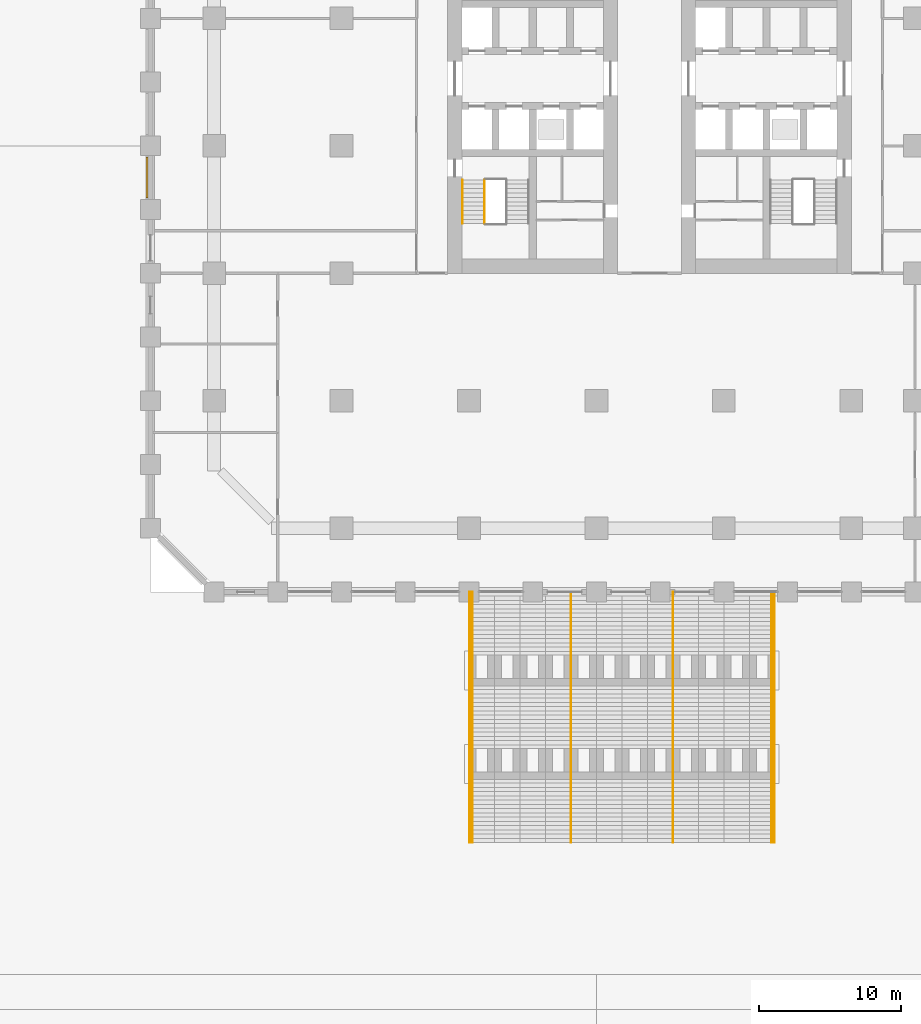
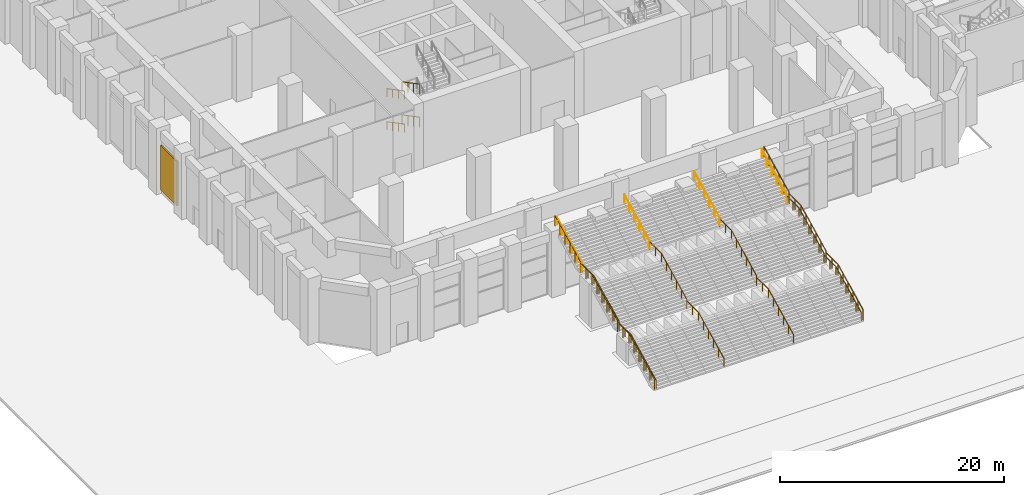
# One storey, part 22 of 30: 22 railings, 1 shading device.
"""IFC4 building model written with IfcOpenShell, lengths in metres."""

import ifcopenshell
import ifcopenshell.guid

model = None  # the IFC model being written
_history = None  # IfcOwnerHistory: only IFC2X3 demands one
_inside = {}  # id of a spatial element -> (the spatial element, [elements in it])
_under = {}  # id of a project, library or spatial element -> (it, [spatial elements below it])
_declared = {}  # id of a project -> (the project, [libraries it declares])
_typed = {}  # id of a type object -> (the type object, [elements of that type])
_made_of = {}  # id of a material, layer set ... -> (it, [elements and type objects made of it])


def new_model(schema):
    """Start an empty IFC model of exactly this schema.

    Asked for "IFC4X3", IfcOpenShell would pick the latest addendum, in which some entities
    have other attributes; the version numbers below select the first issue.
    IFC2X3 requires an IfcOwnerHistory on every rooted entity: one is made here for all.
    """
    global model, _history
    if schema == "IFC4X3":
        model = ifcopenshell.file(schema_version=(4, 3, 0, 0))
    else:
        model = ifcopenshell.file(schema=schema)
    _inside.clear()
    _under.clear()
    _declared.clear()
    _typed.clear()
    _made_of.clear()
    _history = None
    if model.schema == "IFC2X3":
        org = make("IfcOrganization", Name="unknown")
        user = make(
            "IfcPersonAndOrganization",
            ThePerson=make("IfcPerson", FamilyName="unknown"),
            TheOrganization=org,
        )
        app = make(
            "IfcApplication",
            ApplicationDeveloper=org,
            Version="unknown",
            ApplicationFullName="unknown",
            ApplicationIdentifier="unknown",
        )
        _history = make(
            "IfcOwnerHistory",
            OwningUser=user,
            OwningApplication=app,
            ChangeAction="ADDED",
            CreationDate=0,
        )
    return model


def make(cls, **values):
    """One entity of the class cls with the attributes given. An attribute that is None is left unset."""
    return model.create_entity(
        cls, **{name: value for name, value in values.items() if value is not None}
    )


def rooted(cls, **values):
    """An entity with a GlobalId (a new one), such as an element, a storey or a relation."""
    return make(cls, GlobalId=ifcopenshell.guid.new(), OwnerHistory=_history, **values)


def si_unit(unit_type, name, prefix=None):
    """IfcSIUnit, for example si_unit("LENGTHUNIT", "METRE", prefix="MILLI")."""
    return make("IfcSIUnit", UnitType=unit_type, Prefix=prefix, Name=name)


def assignment(units):
    """IfcUnitAssignment: the units of a project."""
    return None if units is None else make("IfcUnitAssignment", Units=units)


def point(xyz):
    """IfcCartesianPoint."""
    return None if xyz is None else make("IfcCartesianPoint", Coordinates=xyz)


def direction(xyz):
    """IfcDirection."""
    return None if xyz is None else make("IfcDirection", DirectionRatios=xyz)


def frame(location, z_axis=None, x_axis=None):
    """IfcAxis2Placement3D, a coordinate frame: its origin and axes. An axis left out is left unset."""
    return make(
        "IfcAxis2Placement3D",
        Location=point(location),
        Axis=direction(z_axis),
        RefDirection=direction(x_axis),
    )


def frame_2d(location, x_axis=None):
    """IfcAxis2Placement2D, a coordinate frame in the plane: its origin and x axis."""
    return make(
        "IfcAxis2Placement2D", Location=point(location), RefDirection=direction(x_axis)
    )


def origin():
    """The frame at (0, 0, 0) with its axes left unset."""
    return frame((0.0, 0.0, 0.0))


def origin_2d():
    """The frame at (0, 0) in the plane with its x axis left unset."""
    return frame_2d((0.0, 0.0))


def place(relative_to, where):
    """IfcLocalPlacement: puts the frame where relative to a parent placement (None: the world)."""
    return make(
        "IfcLocalPlacement", PlacementRelTo=relative_to, RelativePlacement=where
    )


def context(
    kind, dimensions, precision=None, world=None, true_north=None, identifier=None
):
    """IfcGeometricRepresentationContext, for example the 3D "Model" context."""
    return make(
        "IfcGeometricRepresentationContext",
        ContextIdentifier=identifier,
        ContextType=kind,
        CoordinateSpaceDimension=dimensions,
        Precision=precision,
        WorldCoordinateSystem=world,
        TrueNorth=true_north,
    )


def subcontext(parent, identifier, kind, view, scale=None):
    """IfcGeometricRepresentationSubContext, for example "Body" below "Model"."""
    return make(
        "IfcGeometricRepresentationSubContext",
        ContextIdentifier=identifier,
        ContextType=kind,
        ParentContext=parent,
        TargetScale=scale,
        TargetView=view,
    )


def project(units=None, contexts=None):
    """IfcProject with its units and contexts."""
    return rooted(
        "IfcProject",
        Name="project",
        RepresentationContexts=contexts,
        UnitsInContext=assignment(units),
    )


def spatial(cls, under=None, at=None, **own):
    """A site, building, storey or space (cls), placed at a placement, below another one or the project."""
    s = rooted(cls, ObjectPlacement=at, **own)
    if under is not None:
        _under.setdefault(under.id(), (under, []))[1].append(s)
    return s


def profile(cls, at=None, kind="AREA", **sizes):
    """A parametric profile (cls). Its sizes go by their IFC names, for example OverallWidth=200.0."""
    return make(cls, ProfileType=kind, Position=at, **sizes)


def rectangle(**sizes):
    """IfcRectangleProfileDef."""
    return profile("IfcRectangleProfileDef", **sizes)


def circle(**sizes):
    """IfcCircleProfileDef."""
    return profile("IfcCircleProfileDef", **sizes)


def extrude(swept, where, along, depth):
    """IfcExtrudedAreaSolid: the profile swept, set in the frame where, extruded along a direction by depth."""
    return make(
        "IfcExtrudedAreaSolid",
        SweptArea=swept,
        Position=where,
        ExtrudedDirection=direction(along),
        Depth=depth,
    )


def shape(context_of_items, identifier, shape_type, items):
    """IfcShapeRepresentation: the items that make up one representation, for example the "Body"."""
    return make(
        "IfcShapeRepresentation",
        ContextOfItems=context_of_items,
        RepresentationIdentifier=identifier,
        RepresentationType=shape_type,
        Items=items,
    )


def material(Name=None, Category=None):
    """IfcMaterial."""
    return make("IfcMaterial", Name=Name, Category=Category)


def layer(
    of_material, thickness, ventilated=None, Name=None, Category=None, Priority=None
):
    """IfcMaterialLayer: one layer of a wall or slab, of a material (None: an air gap)."""
    return make(
        "IfcMaterialLayer",
        Material=of_material,
        LayerThickness=thickness,
        IsVentilated=ventilated,
        Name=Name,
        Category=Category,
        Priority=Priority,
    )


def layer_set(layers, Name=None):
    """IfcMaterialLayerSet."""
    return make("IfcMaterialLayerSet", MaterialLayers=layers, LayerSetName=Name)


def made_of(thing, what):
    """Note that an element or type object is made of a material, layer set ...; save() writes the relation."""
    if what is not None:
        _made_of.setdefault(what.id(), (what, []))[1].append(thing)
    return thing


def type_object(cls, material=None, **own):
    """A type object (cls), such as IfcWallType, which elements share."""
    return made_of(rooted(cls, **own), material)


def element(
    cls,
    number,
    at=None,
    inside=None,
    cuts=None,
    type_object=None,
    material=None,
    context=None,
    identifier="Body",
    shape_type=None,
    held_by="IfcProductDefinitionShape",
    body=None,
    shapes=None,
    **own,
):
    """One element of the class cls, such as IfcWall. Its Tag is "e" and its number.

    at: its placement. inside: the storey or other place that contains it. cuts: it is an
    opening in that element (IfcRelVoidsElement). A single representation is given by context,
    identifier, shape_type and body (its items); several are given by shapes. held_by: the class
    of the entity that holds the representations. save() writes the other relations.
    """
    e = rooted(cls, Tag="e%d" % number, ObjectPlacement=at, **own)
    if body is not None:
        shapes = [shape(context, identifier, shape_type, body)]
    if shapes is not None:
        e.Representation = make(held_by, Representations=shapes)
    if inside is not None:
        _inside.setdefault(inside.id(), (inside, []))[1].append(e)
    if cuts is not None:
        rooted(
            "IfcRelVoidsElement", RelatingBuildingElement=cuts, RelatedOpeningElement=e
        )
    if type_object is not None:
        _typed.setdefault(type_object.id(), (type_object, []))[1].append(e)
    return made_of(e, material)


def aggregate(whole, parts):
    """IfcRelAggregates: a whole, such as a stair, and the parts it consists of."""
    return rooted("IfcRelAggregates", RelatingObject=whole, RelatedObjects=parts)


def save(model, path):
    """Write the relations noted so far, then the file.

    IfcRelAggregates (storeys below a building ...), IfcRelContainedInSpatialStructure (elements
    in a storey), IfcRelDefinesByType, IfcRelAssociatesMaterial and IfcRelDeclares: one each for
    every whole, place, type object, material and project.
    """
    for whole, parts in _under.values():
        aggregate(whole, parts)
    for where, things in _inside.values():
        rooted(
            "IfcRelContainedInSpatialStructure",
            RelatedElements=things,
            RelatingStructure=where,
        )
    for kind, things in _typed.values():
        rooted("IfcRelDefinesByType", RelatedObjects=things, RelatingType=kind)
    for what, things in _made_of.values():
        rooted("IfcRelAssociatesMaterial", RelatedObjects=things, RelatingMaterial=what)
    for by, libraries in _declared.values():
        rooted("IfcRelDeclares", RelatingContext=by, RelatedDefinitions=libraries)
    model.write(path)


model = new_model("IFC4")

# Units and contexts
model_context = context("Model", 3, precision=1e-05, world=origin(), true_north=direction((0.0, 1.0)))
body_context = subcontext(model_context, "Body", "Model", "MODEL_VIEW")
ifc_project = project(units=[si_unit("LENGTHUNIT", "METRE"), si_unit("AREAUNIT", "SQUARE_METRE"), si_unit("VOLUMEUNIT", "CUBIC_METRE"), si_unit("PLANEANGLEUNIT", "RADIAN"), si_unit("MASSUNIT", "GRAM", prefix="KILO")], contexts=[model_context])

# Site, building, storey
site_placement = place(None, origin())
site = spatial("IfcSite", under=ifc_project, at=site_placement, CompositionType="ELEMENT")
building_placement = place(site_placement, origin())
building = spatial("IfcBuilding", under=site, at=building_placement, Name="Corbel Stack Research Tower", CompositionType="ELEMENT")
storey_placement = place(building_placement, origin())
storey = spatial("IfcBuildingStorey", under=building, at=storey_placement, Name="L00", CompositionType="ELEMENT", Elevation=0.0)

# Shading device
ifc_material_1 = material(Name="Aluminium louvre", Category="aluminium")
ifc_layer = layer(ifc_material_1, 0.14990234375)
ifc_layer_set = layer_set([ifc_layer], Name="Aluminium louvre")
shading_device_type = type_object("IfcShadingDeviceType", Name="Plant louvre 150", PredefinedType="USERDEFINED", material=ifc_layer_set)
shading_device_placement = place(storey_placement, frame((-31.75, -2.25, 0.5), z_axis=(0.0, 0.0, 1.0), x_axis=(0.0, -1.0, 0.0)))
element("IfcShadingDevice", 1, at=shading_device_placement, inside=storey, type_object=shading_device_type, Name="Plant louvre L00 W08", ObjectType="LOUVRE", PredefinedType="USERDEFINED", context=body_context, shape_type="SweptSolid", body=[
    extrude(rectangle(XDim=2.89990234375, YDim=0.14990234375, at=origin_2d()), origin(), (0.0, 0.0, 1.0), 4.85009765625),
])

# Railings
ifc_material_2 = material(Name="Steel S235", Category="steel")
railing_type_1 = type_object("IfcRailingType", Name="SR1 guard 1100", PredefinedType="GUARDRAIL", material=ifc_material_2)
railing_1_placement = place(storey_placement, frame((-8.949951171875, -49.199951171875, 0.14990234375)))
element("IfcRailing", 2, at=railing_1_placement, inside=storey, type_object=railing_type_1, Name="Garden stair guard 1.1", PredefinedType="GUARDRAIL", context=body_context, shape_type="SweptSolid", body=[
    extrude(circle(Radius=0.02392578125, at=origin_2d()), frame((0.0, 0.0, 1.076171875), z_axis=(0.0, 0.894427191, 0.4472135955), x_axis=(-1.0, 0.0, 0.0)), (0.0, 0.0, 1.0), 5.03125),
    extrude(circle(Radius=0.02392578125, at=origin_2d()), frame((0.0, 4.5, 3.326171875), z_axis=(0.0, 1.0, 0.0), x_axis=(-1.0, 0.0, 0.0)), (0.0, 0.0, 1.0), 2.099853515625),
    extrude(circle(Radius=0.02099609375, at=origin_2d()), origin(), (0.0, 0.0, 1.0), 1.052001953125),
    extrude(circle(Radius=0.02099609375, at=origin_2d()), frame((0.0, 0.89990234375, 0.449951171875)), (0.0, 0.0, 1.0), 1.052001953125),
    extrude(circle(Radius=0.02099609375, at=origin_2d()), frame((0.0, 1.800048828125, 0.89990234375)), (0.0, 0.0, 1.0), 1.052001953125),
    extrude(circle(Radius=0.02099609375, at=origin_2d()), frame((0.0, 2.699951171875, 1.35009765625)), (0.0, 0.0, 1.0), 1.052001953125),
    extrude(circle(Radius=0.02099609375, at=origin_2d()), frame((0.0, 3.60009765625, 1.800048828125)), (0.0, 0.0, 1.0), 1.052001953125),
    extrude(circle(Radius=0.02099609375, at=origin_2d()), frame((0.0, 4.5, 2.25)), (0.0, 0.0, 1.0), 1.052001953125),
    extrude(circle(Radius=0.02099609375, at=origin_2d()), frame((0.0, 5.5498046875, 2.25)), (0.0, 0.0, 1.0), 1.052001953125),
    extrude(circle(Radius=0.02099609375, at=origin_2d()), frame((0.0, 6.599853515625, 2.25)), (0.0, 0.0, 1.0), 1.052001953125),
])
railing_2_placement = place(storey_placement, frame((-8.949951171875, -42.60009765625, 2.550048828125)))
element("IfcRailing", 3, at=railing_2_placement, inside=storey, type_object=railing_type_1, Name="Garden stair guard 1.2", PredefinedType="GUARDRAIL", context=body_context, shape_type="SweptSolid", body=[
    extrude(circle(Radius=0.02392578125, at=origin_2d()), frame((0.0, 0.0, 1.076171875), z_axis=(0.0, 0.894427191, 0.4472135955), x_axis=(-1.0, 0.0, 0.0)), (0.0, 0.0, 1.0), 5.03125),
    extrude(circle(Radius=0.02392578125, at=origin_2d()), frame((0.0, 4.5, 3.326171875), z_axis=(0.0, 1.0, 0.0), x_axis=(-1.0, 0.0, 0.0)), (0.0, 0.0, 1.0), 2.10009765625),
    extrude(circle(Radius=0.02099609375, at=origin_2d()), origin(), (0.0, 0.0, 1.0), 1.052001953125),
    extrude(circle(Radius=0.02099609375, at=origin_2d()), frame((0.0, 0.89990234375, 0.449951171875)), (0.0, 0.0, 1.0), 1.052001953125),
    extrude(circle(Radius=0.02099609375, at=origin_2d()), frame((0.0, 1.800048828125, 0.89990234375)), (0.0, 0.0, 1.0), 1.052001953125),
    extrude(circle(Radius=0.02099609375, at=origin_2d()), frame((0.0, 2.699951171875, 1.35009765625)), (0.0, 0.0, 1.0), 1.052001953125),
    extrude(circle(Radius=0.02099609375, at=origin_2d()), frame((0.0, 3.60009765625, 1.800048828125)), (0.0, 0.0, 1.0), 1.052001953125),
    extrude(circle(Radius=0.02099609375, at=origin_2d()), frame((0.0, 4.5, 2.25)), (0.0, 0.0, 1.0), 1.052001953125),
    extrude(circle(Radius=0.02099609375, at=origin_2d()), frame((0.0, 5.550048828125, 2.25)), (0.0, 0.0, 1.0), 1.052001953125),
    extrude(circle(Radius=0.02099609375, at=origin_2d()), frame((0.0, 6.60009765625, 2.25)), (0.0, 0.0, 1.0), 1.052001953125),
])
railing_3_placement = place(storey_placement, frame((-8.949951171875, -36.0, 4.949951171875)))
element("IfcRailing", 4, at=railing_3_placement, inside=storey, type_object=railing_type_1, Name="Garden stair guard 1.3", PredefinedType="GUARDRAIL", context=body_context, shape_type="SweptSolid", body=[
    extrude(circle(Radius=0.02392578125, at=origin_2d()), frame((0.0, 0.0, 1.076171875), z_axis=(0.0, 0.894427191, 0.4472135955), x_axis=(-1.0, 0.0, 0.0)), (0.0, 0.0, 1.0), 5.03125),
    extrude(circle(Radius=0.02099609375, at=origin_2d()), origin(), (0.0, 0.0, 1.0), 1.052001953125),
    extrude(circle(Radius=0.02099609375, at=origin_2d()), frame((0.0, 0.89990234375, 0.449951171875)), (0.0, 0.0, 1.0), 1.052001953125),
    extrude(circle(Radius=0.02099609375, at=origin_2d()), frame((0.0, 1.800048828125, 0.89990234375)), (0.0, 0.0, 1.0), 1.052001953125),
    extrude(circle(Radius=0.02099609375, at=origin_2d()), frame((0.0, 2.699951171875, 1.35009765625)), (0.0, 0.0, 1.0), 1.052001953125),
    extrude(circle(Radius=0.02099609375, at=origin_2d()), frame((0.0, 3.60009765625, 1.800048828125)), (0.0, 0.0, 1.0), 1.052001953125),
    extrude(circle(Radius=0.02099609375, at=origin_2d()), frame((0.0, 4.5, 2.25)), (0.0, 0.0, 1.0), 1.052001953125),
])
railing_4_placement = place(storey_placement, frame((12.550048828125, -49.199951171875, 0.14990234375)))
element("IfcRailing", 5, at=railing_4_placement, inside=storey, type_object=railing_type_1, Name="Garden stair guard 2.1", PredefinedType="GUARDRAIL", context=body_context, shape_type="SweptSolid", body=[
    extrude(circle(Radius=0.02392578125, at=origin_2d()), frame((0.0, 0.0, 1.076171875), z_axis=(0.0, 0.894427191, 0.4472135955), x_axis=(-1.0, 0.0, 0.0)), (0.0, 0.0, 1.0), 5.03125),
    extrude(circle(Radius=0.02392578125, at=origin_2d()), frame((0.0, 4.5, 3.326171875), z_axis=(0.0, 1.0, 0.0), x_axis=(-1.0, 0.0, 0.0)), (0.0, 0.0, 1.0), 2.099853515625),
    extrude(circle(Radius=0.02099609375, at=origin_2d()), origin(), (0.0, 0.0, 1.0), 1.052001953125),
    extrude(circle(Radius=0.02099609375, at=origin_2d()), frame((0.0, 0.89990234375, 0.449951171875)), (0.0, 0.0, 1.0), 1.052001953125),
    extrude(circle(Radius=0.02099609375, at=origin_2d()), frame((0.0, 1.800048828125, 0.89990234375)), (0.0, 0.0, 1.0), 1.052001953125),
    extrude(circle(Radius=0.02099609375, at=origin_2d()), frame((0.0, 2.699951171875, 1.35009765625)), (0.0, 0.0, 1.0), 1.052001953125),
    extrude(circle(Radius=0.02099609375, at=origin_2d()), frame((0.0, 3.60009765625, 1.800048828125)), (0.0, 0.0, 1.0), 1.052001953125),
    extrude(circle(Radius=0.02099609375, at=origin_2d()), frame((0.0, 4.5, 2.25)), (0.0, 0.0, 1.0), 1.052001953125),
    extrude(circle(Radius=0.02099609375, at=origin_2d()), frame((0.0, 5.5498046875, 2.25)), (0.0, 0.0, 1.0), 1.052001953125),
    extrude(circle(Radius=0.02099609375, at=origin_2d()), frame((0.0, 6.599853515625, 2.25)), (0.0, 0.0, 1.0), 1.052001953125),
])
railing_5_placement = place(storey_placement, frame((12.550048828125, -42.60009765625, 2.550048828125)))
element("IfcRailing", 6, at=railing_5_placement, inside=storey, type_object=railing_type_1, Name="Garden stair guard 2.2", PredefinedType="GUARDRAIL", context=body_context, shape_type="SweptSolid", body=[
    extrude(circle(Radius=0.02392578125, at=origin_2d()), frame((0.0, 0.0, 1.076171875), z_axis=(0.0, 0.894427191, 0.4472135955), x_axis=(-1.0, 0.0, 0.0)), (0.0, 0.0, 1.0), 5.03125),
    extrude(circle(Radius=0.02392578125, at=origin_2d()), frame((0.0, 4.5, 3.326171875), z_axis=(0.0, 1.0, 0.0), x_axis=(-1.0, 0.0, 0.0)), (0.0, 0.0, 1.0), 2.10009765625),
    extrude(circle(Radius=0.02099609375, at=origin_2d()), origin(), (0.0, 0.0, 1.0), 1.052001953125),
    extrude(circle(Radius=0.02099609375, at=origin_2d()), frame((0.0, 0.89990234375, 0.449951171875)), (0.0, 0.0, 1.0), 1.052001953125),
    extrude(circle(Radius=0.02099609375, at=origin_2d()), frame((0.0, 1.800048828125, 0.89990234375)), (0.0, 0.0, 1.0), 1.052001953125),
    extrude(circle(Radius=0.02099609375, at=origin_2d()), frame((0.0, 2.699951171875, 1.35009765625)), (0.0, 0.0, 1.0), 1.052001953125),
    extrude(circle(Radius=0.02099609375, at=origin_2d()), frame((0.0, 3.60009765625, 1.800048828125)), (0.0, 0.0, 1.0), 1.052001953125),
    extrude(circle(Radius=0.02099609375, at=origin_2d()), frame((0.0, 4.5, 2.25)), (0.0, 0.0, 1.0), 1.052001953125),
    extrude(circle(Radius=0.02099609375, at=origin_2d()), frame((0.0, 5.550048828125, 2.25)), (0.0, 0.0, 1.0), 1.052001953125),
    extrude(circle(Radius=0.02099609375, at=origin_2d()), frame((0.0, 6.60009765625, 2.25)), (0.0, 0.0, 1.0), 1.052001953125),
])
railing_6_placement = place(storey_placement, frame((12.550048828125, -36.0, 4.949951171875)))
element("IfcRailing", 7, at=railing_6_placement, inside=storey, type_object=railing_type_1, Name="Garden stair guard 2.3", PredefinedType="GUARDRAIL", context=body_context, shape_type="SweptSolid", body=[
    extrude(circle(Radius=0.02392578125, at=origin_2d()), frame((0.0, 0.0, 1.076171875), z_axis=(0.0, 0.894427191, 0.4472135955), x_axis=(-1.0, 0.0, 0.0)), (0.0, 0.0, 1.0), 5.03125),
    extrude(circle(Radius=0.02099609375, at=origin_2d()), origin(), (0.0, 0.0, 1.0), 1.052001953125),
    extrude(circle(Radius=0.02099609375, at=origin_2d()), frame((0.0, 0.89990234375, 0.449951171875)), (0.0, 0.0, 1.0), 1.052001953125),
    extrude(circle(Radius=0.02099609375, at=origin_2d()), frame((0.0, 1.800048828125, 0.89990234375)), (0.0, 0.0, 1.0), 1.052001953125),
    extrude(circle(Radius=0.02099609375, at=origin_2d()), frame((0.0, 2.699951171875, 1.35009765625)), (0.0, 0.0, 1.0), 1.052001953125),
    extrude(circle(Radius=0.02099609375, at=origin_2d()), frame((0.0, 3.60009765625, 1.800048828125)), (0.0, 0.0, 1.0), 1.052001953125),
    extrude(circle(Radius=0.02099609375, at=origin_2d()), frame((0.0, 4.5, 2.25)), (0.0, 0.0, 1.0), 1.052001953125),
])
ifc_material_3 = material(Name="Steel S235", Category="steel")
railing_type_2 = type_object("IfcRailingType", Name="SR2 handrail 900", PredefinedType="HANDRAIL", material=ifc_material_3)
railing_7_placement = place(storey_placement, frame((-8.75, -49.199951171875, 0.14990234375)))
element("IfcRailing", 8, at=railing_7_placement, inside=storey, type_object=railing_type_2, Name="Garden stair handrail 1.1", PredefinedType="HANDRAIL", context=body_context, shape_type="SweptSolid", body=[
    extrude(circle(Radius=0.02392578125, at=origin_2d()), frame((0.0, 0.0, 0.8759765625), z_axis=(0.0, 0.894427191, 0.4472135955), x_axis=(-1.0, 0.0, 0.0)), (0.0, 0.0, 1.0), 5.03125),
    extrude(circle(Radius=0.02392578125, at=origin_2d()), frame((0.0, 4.5, 3.1259765625), z_axis=(0.0, 1.0, 0.0), x_axis=(-1.0, 0.0, 0.0)), (0.0, 0.0, 1.0), 2.099853515625),
    extrude(circle(Radius=0.02099609375, at=origin_2d()), origin(), (0.0, 0.0, 1.0), 0.851806640625),
    extrude(circle(Radius=0.02099609375, at=origin_2d()), frame((0.0, 0.89990234375, 0.449951171875)), (0.0, 0.0, 1.0), 0.851806640625),
    extrude(circle(Radius=0.02099609375, at=origin_2d()), frame((0.0, 1.800048828125, 0.89990234375)), (0.0, 0.0, 1.0), 0.851806640625),
    extrude(circle(Radius=0.02099609375, at=origin_2d()), frame((0.0, 2.699951171875, 1.35009765625)), (0.0, 0.0, 1.0), 0.851806640625),
    extrude(circle(Radius=0.02099609375, at=origin_2d()), frame((0.0, 3.60009765625, 1.800048828125)), (0.0, 0.0, 1.0), 0.851806640625),
    extrude(circle(Radius=0.02099609375, at=origin_2d()), frame((0.0, 4.5, 2.25)), (0.0, 0.0, 1.0), 0.851806640625),
    extrude(circle(Radius=0.02099609375, at=origin_2d()), frame((0.0, 5.5498046875, 2.25)), (0.0, 0.0, 1.0), 0.851806640625),
    extrude(circle(Radius=0.02099609375, at=origin_2d()), frame((0.0, 6.599853515625, 2.25)), (0.0, 0.0, 1.0), 0.851806640625),
])
railing_8_placement = place(storey_placement, frame((-8.75, -42.60009765625, 2.550048828125)))
element("IfcRailing", 9, at=railing_8_placement, inside=storey, type_object=railing_type_2, Name="Garden stair handrail 1.2", PredefinedType="HANDRAIL", context=body_context, shape_type="SweptSolid", body=[
    extrude(circle(Radius=0.02392578125, at=origin_2d()), frame((0.0, 0.0, 0.8759765625), z_axis=(0.0, 0.894427191, 0.4472135955), x_axis=(-1.0, 0.0, 0.0)), (0.0, 0.0, 1.0), 5.03125),
    extrude(circle(Radius=0.02392578125, at=origin_2d()), frame((0.0, 4.5, 3.1259765625), z_axis=(0.0, 1.0, 0.0), x_axis=(-1.0, 0.0, 0.0)), (0.0, 0.0, 1.0), 2.10009765625),
    extrude(circle(Radius=0.02099609375, at=origin_2d()), origin(), (0.0, 0.0, 1.0), 0.851806640625),
    extrude(circle(Radius=0.02099609375, at=origin_2d()), frame((0.0, 0.89990234375, 0.449951171875)), (0.0, 0.0, 1.0), 0.851806640625),
    extrude(circle(Radius=0.02099609375, at=origin_2d()), frame((0.0, 1.800048828125, 0.89990234375)), (0.0, 0.0, 1.0), 0.851806640625),
    extrude(circle(Radius=0.02099609375, at=origin_2d()), frame((0.0, 2.699951171875, 1.35009765625)), (0.0, 0.0, 1.0), 0.851806640625),
    extrude(circle(Radius=0.02099609375, at=origin_2d()), frame((0.0, 3.60009765625, 1.800048828125)), (0.0, 0.0, 1.0), 0.851806640625),
    extrude(circle(Radius=0.02099609375, at=origin_2d()), frame((0.0, 4.5, 2.25)), (0.0, 0.0, 1.0), 0.851806640625),
    extrude(circle(Radius=0.02099609375, at=origin_2d()), frame((0.0, 5.550048828125, 2.25)), (0.0, 0.0, 1.0), 0.851806640625),
    extrude(circle(Radius=0.02099609375, at=origin_2d()), frame((0.0, 6.60009765625, 2.25)), (0.0, 0.0, 1.0), 0.851806640625),
])
railing_9_placement = place(storey_placement, frame((-8.75, -36.0, 4.949951171875)))
element("IfcRailing", 10, at=railing_9_placement, inside=storey, type_object=railing_type_2, Name="Garden stair handrail 1.3", PredefinedType="HANDRAIL", context=body_context, shape_type="SweptSolid", body=[
    extrude(circle(Radius=0.02392578125, at=origin_2d()), frame((0.0, 0.0, 0.8759765625), z_axis=(0.0, 0.894427191, 0.4472135955), x_axis=(-1.0, 0.0, 0.0)), (0.0, 0.0, 1.0), 5.03125),
    extrude(circle(Radius=0.02099609375, at=origin_2d()), origin(), (0.0, 0.0, 1.0), 0.851806640625),
    extrude(circle(Radius=0.02099609375, at=origin_2d()), frame((0.0, 0.89990234375, 0.449951171875)), (0.0, 0.0, 1.0), 0.851806640625),
    extrude(circle(Radius=0.02099609375, at=origin_2d()), frame((0.0, 1.800048828125, 0.89990234375)), (0.0, 0.0, 1.0), 0.851806640625),
    extrude(circle(Radius=0.02099609375, at=origin_2d()), frame((0.0, 2.699951171875, 1.35009765625)), (0.0, 0.0, 1.0), 0.851806640625),
    extrude(circle(Radius=0.02099609375, at=origin_2d()), frame((0.0, 3.60009765625, 1.800048828125)), (0.0, 0.0, 1.0), 0.851806640625),
    extrude(circle(Radius=0.02099609375, at=origin_2d()), frame((0.0, 4.5, 2.25)), (0.0, 0.0, 1.0), 0.851806640625),
])
railing_10_placement = place(storey_placement, frame((-1.800048828125, -49.199951171875, 0.14990234375)))
element("IfcRailing", 11, at=railing_10_placement, inside=storey, type_object=railing_type_2, Name="Garden stair handrail 2.1", PredefinedType="HANDRAIL", context=body_context, shape_type="SweptSolid", body=[
    extrude(circle(Radius=0.02392578125, at=origin_2d()), frame((0.0, 0.0, 0.8759765625), z_axis=(0.0, 0.894427191, 0.4472135955), x_axis=(-1.0, 0.0, 0.0)), (0.0, 0.0, 1.0), 5.03125),
    extrude(circle(Radius=0.02392578125, at=origin_2d()), frame((0.0, 4.5, 3.1259765625), z_axis=(0.0, 1.0, 0.0), x_axis=(-1.0, 0.0, 0.0)), (0.0, 0.0, 1.0), 2.099853515625),
    extrude(circle(Radius=0.02099609375, at=origin_2d()), origin(), (0.0, 0.0, 1.0), 0.851806640625),
    extrude(circle(Radius=0.02099609375, at=origin_2d()), frame((0.0, 0.89990234375, 0.449951171875)), (0.0, 0.0, 1.0), 0.851806640625),
    extrude(circle(Radius=0.02099609375, at=origin_2d()), frame((0.0, 1.800048828125, 0.89990234375)), (0.0, 0.0, 1.0), 0.851806640625),
    extrude(circle(Radius=0.02099609375, at=origin_2d()), frame((0.0, 2.699951171875, 1.35009765625)), (0.0, 0.0, 1.0), 0.851806640625),
    extrude(circle(Radius=0.02099609375, at=origin_2d()), frame((0.0, 3.60009765625, 1.800048828125)), (0.0, 0.0, 1.0), 0.851806640625),
    extrude(circle(Radius=0.02099609375, at=origin_2d()), frame((0.0, 4.5, 2.25)), (0.0, 0.0, 1.0), 0.851806640625),
    extrude(circle(Radius=0.02099609375, at=origin_2d()), frame((0.0, 5.5498046875, 2.25)), (0.0, 0.0, 1.0), 0.851806640625),
    extrude(circle(Radius=0.02099609375, at=origin_2d()), frame((0.0, 6.599853515625, 2.25)), (0.0, 0.0, 1.0), 0.851806640625),
])
railing_11_placement = place(storey_placement, frame((-1.800048828125, -42.60009765625, 2.550048828125)))
element("IfcRailing", 12, at=railing_11_placement, inside=storey, type_object=railing_type_2, Name="Garden stair handrail 2.2", PredefinedType="HANDRAIL", context=body_context, shape_type="SweptSolid", body=[
    extrude(circle(Radius=0.02392578125, at=origin_2d()), frame((0.0, 0.0, 0.8759765625), z_axis=(0.0, 0.894427191, 0.4472135955), x_axis=(-1.0, 0.0, 0.0)), (0.0, 0.0, 1.0), 5.03125),
    extrude(circle(Radius=0.02392578125, at=origin_2d()), frame((0.0, 4.5, 3.1259765625), z_axis=(0.0, 1.0, 0.0), x_axis=(-1.0, 0.0, 0.0)), (0.0, 0.0, 1.0), 2.10009765625),
    extrude(circle(Radius=0.02099609375, at=origin_2d()), origin(), (0.0, 0.0, 1.0), 0.851806640625),
    extrude(circle(Radius=0.02099609375, at=origin_2d()), frame((0.0, 0.89990234375, 0.449951171875)), (0.0, 0.0, 1.0), 0.851806640625),
    extrude(circle(Radius=0.02099609375, at=origin_2d()), frame((0.0, 1.800048828125, 0.89990234375)), (0.0, 0.0, 1.0), 0.851806640625),
    extrude(circle(Radius=0.02099609375, at=origin_2d()), frame((0.0, 2.699951171875, 1.35009765625)), (0.0, 0.0, 1.0), 0.851806640625),
    extrude(circle(Radius=0.02099609375, at=origin_2d()), frame((0.0, 3.60009765625, 1.800048828125)), (0.0, 0.0, 1.0), 0.851806640625),
    extrude(circle(Radius=0.02099609375, at=origin_2d()), frame((0.0, 4.5, 2.25)), (0.0, 0.0, 1.0), 0.851806640625),
    extrude(circle(Radius=0.02099609375, at=origin_2d()), frame((0.0, 5.550048828125, 2.25)), (0.0, 0.0, 1.0), 0.851806640625),
    extrude(circle(Radius=0.02099609375, at=origin_2d()), frame((0.0, 6.60009765625, 2.25)), (0.0, 0.0, 1.0), 0.851806640625),
])
railing_12_placement = place(storey_placement, frame((-1.800048828125, -36.0, 4.949951171875)))
element("IfcRailing", 13, at=railing_12_placement, inside=storey, type_object=railing_type_2, Name="Garden stair handrail 2.3", PredefinedType="HANDRAIL", context=body_context, shape_type="SweptSolid", body=[
    extrude(circle(Radius=0.02392578125, at=origin_2d()), frame((0.0, 0.0, 0.8759765625), z_axis=(0.0, 0.894427191, 0.4472135955), x_axis=(-1.0, 0.0, 0.0)), (0.0, 0.0, 1.0), 5.03125),
    extrude(circle(Radius=0.02099609375, at=origin_2d()), origin(), (0.0, 0.0, 1.0), 0.851806640625),
    extrude(circle(Radius=0.02099609375, at=origin_2d()), frame((0.0, 0.89990234375, 0.449951171875)), (0.0, 0.0, 1.0), 0.851806640625),
    extrude(circle(Radius=0.02099609375, at=origin_2d()), frame((0.0, 1.800048828125, 0.89990234375)), (0.0, 0.0, 1.0), 0.851806640625),
    extrude(circle(Radius=0.02099609375, at=origin_2d()), frame((0.0, 2.699951171875, 1.35009765625)), (0.0, 0.0, 1.0), 0.851806640625),
    extrude(circle(Radius=0.02099609375, at=origin_2d()), frame((0.0, 3.60009765625, 1.800048828125)), (0.0, 0.0, 1.0), 0.851806640625),
    extrude(circle(Radius=0.02099609375, at=origin_2d()), frame((0.0, 4.5, 2.25)), (0.0, 0.0, 1.0), 0.851806640625),
])
railing_13_placement = place(storey_placement, frame((5.39990234375, -49.199951171875, 0.14990234375)))
element("IfcRailing", 14, at=railing_13_placement, inside=storey, type_object=railing_type_2, Name="Garden stair handrail 3.1", PredefinedType="HANDRAIL", context=body_context, shape_type="SweptSolid", body=[
    extrude(circle(Radius=0.02392578125, at=origin_2d()), frame((0.0, 0.0, 0.8759765625), z_axis=(0.0, 0.894427191, 0.4472135955), x_axis=(-1.0, 0.0, 0.0)), (0.0, 0.0, 1.0), 5.03125),
    extrude(circle(Radius=0.02392578125, at=origin_2d()), frame((0.0, 4.5, 3.1259765625), z_axis=(0.0, 1.0, 0.0), x_axis=(-1.0, 0.0, 0.0)), (0.0, 0.0, 1.0), 2.099853515625),
    extrude(circle(Radius=0.02099609375, at=origin_2d()), origin(), (0.0, 0.0, 1.0), 0.851806640625),
    extrude(circle(Radius=0.02099609375, at=origin_2d()), frame((0.0, 0.89990234375, 0.449951171875)), (0.0, 0.0, 1.0), 0.851806640625),
    extrude(circle(Radius=0.02099609375, at=origin_2d()), frame((0.0, 1.800048828125, 0.89990234375)), (0.0, 0.0, 1.0), 0.851806640625),
    extrude(circle(Radius=0.02099609375, at=origin_2d()), frame((0.0, 2.699951171875, 1.35009765625)), (0.0, 0.0, 1.0), 0.851806640625),
    extrude(circle(Radius=0.02099609375, at=origin_2d()), frame((0.0, 3.60009765625, 1.800048828125)), (0.0, 0.0, 1.0), 0.851806640625),
    extrude(circle(Radius=0.02099609375, at=origin_2d()), frame((0.0, 4.5, 2.25)), (0.0, 0.0, 1.0), 0.851806640625),
    extrude(circle(Radius=0.02099609375, at=origin_2d()), frame((0.0, 5.5498046875, 2.25)), (0.0, 0.0, 1.0), 0.851806640625),
    extrude(circle(Radius=0.02099609375, at=origin_2d()), frame((0.0, 6.599853515625, 2.25)), (0.0, 0.0, 1.0), 0.851806640625),
])
railing_14_placement = place(storey_placement, frame((5.39990234375, -42.60009765625, 2.550048828125)))
element("IfcRailing", 15, at=railing_14_placement, inside=storey, type_object=railing_type_2, Name="Garden stair handrail 3.2", PredefinedType="HANDRAIL", context=body_context, shape_type="SweptSolid", body=[
    extrude(circle(Radius=0.02392578125, at=origin_2d()), frame((0.0, 0.0, 0.8759765625), z_axis=(0.0, 0.894427191, 0.4472135955), x_axis=(-1.0, 0.0, 0.0)), (0.0, 0.0, 1.0), 5.03125),
    extrude(circle(Radius=0.02392578125, at=origin_2d()), frame((0.0, 4.5, 3.1259765625), z_axis=(0.0, 1.0, 0.0), x_axis=(-1.0, 0.0, 0.0)), (0.0, 0.0, 1.0), 2.10009765625),
    extrude(circle(Radius=0.02099609375, at=origin_2d()), origin(), (0.0, 0.0, 1.0), 0.851806640625),
    extrude(circle(Radius=0.02099609375, at=origin_2d()), frame((0.0, 0.89990234375, 0.449951171875)), (0.0, 0.0, 1.0), 0.851806640625),
    extrude(circle(Radius=0.02099609375, at=origin_2d()), frame((0.0, 1.800048828125, 0.89990234375)), (0.0, 0.0, 1.0), 0.851806640625),
    extrude(circle(Radius=0.02099609375, at=origin_2d()), frame((0.0, 2.699951171875, 1.35009765625)), (0.0, 0.0, 1.0), 0.851806640625),
    extrude(circle(Radius=0.02099609375, at=origin_2d()), frame((0.0, 3.60009765625, 1.800048828125)), (0.0, 0.0, 1.0), 0.851806640625),
    extrude(circle(Radius=0.02099609375, at=origin_2d()), frame((0.0, 4.5, 2.25)), (0.0, 0.0, 1.0), 0.851806640625),
    extrude(circle(Radius=0.02099609375, at=origin_2d()), frame((0.0, 5.550048828125, 2.25)), (0.0, 0.0, 1.0), 0.851806640625),
    extrude(circle(Radius=0.02099609375, at=origin_2d()), frame((0.0, 6.60009765625, 2.25)), (0.0, 0.0, 1.0), 0.851806640625),
])
railing_15_placement = place(storey_placement, frame((5.39990234375, -36.0, 4.949951171875)))
element("IfcRailing", 16, at=railing_15_placement, inside=storey, type_object=railing_type_2, Name="Garden stair handrail 3.3", PredefinedType="HANDRAIL", context=body_context, shape_type="SweptSolid", body=[
    extrude(circle(Radius=0.02392578125, at=origin_2d()), frame((0.0, 0.0, 0.8759765625), z_axis=(0.0, 0.894427191, 0.4472135955), x_axis=(-1.0, 0.0, 0.0)), (0.0, 0.0, 1.0), 5.03125),
    extrude(circle(Radius=0.02099609375, at=origin_2d()), origin(), (0.0, 0.0, 1.0), 0.851806640625),
    extrude(circle(Radius=0.02099609375, at=origin_2d()), frame((0.0, 0.89990234375, 0.449951171875)), (0.0, 0.0, 1.0), 0.851806640625),
    extrude(circle(Radius=0.02099609375, at=origin_2d()), frame((0.0, 1.800048828125, 0.89990234375)), (0.0, 0.0, 1.0), 0.851806640625),
    extrude(circle(Radius=0.02099609375, at=origin_2d()), frame((0.0, 2.699951171875, 1.35009765625)), (0.0, 0.0, 1.0), 0.851806640625),
    extrude(circle(Radius=0.02099609375, at=origin_2d()), frame((0.0, 3.60009765625, 1.800048828125)), (0.0, 0.0, 1.0), 0.851806640625),
    extrude(circle(Radius=0.02099609375, at=origin_2d()), frame((0.0, 4.5, 2.25)), (0.0, 0.0, 1.0), 0.851806640625),
])
railing_16_placement = place(storey_placement, frame((12.35009765625, -49.199951171875, 0.14990234375)))
element("IfcRailing", 17, at=railing_16_placement, inside=storey, type_object=railing_type_2, Name="Garden stair handrail 4.1", PredefinedType="HANDRAIL", context=body_context, shape_type="SweptSolid", body=[
    extrude(circle(Radius=0.02392578125, at=origin_2d()), frame((0.0, 0.0, 0.8759765625), z_axis=(0.0, 0.894427191, 0.4472135955), x_axis=(-1.0, 0.0, 0.0)), (0.0, 0.0, 1.0), 5.03125),
    extrude(circle(Radius=0.02392578125, at=origin_2d()), frame((0.0, 4.5, 3.1259765625), z_axis=(0.0, 1.0, 0.0), x_axis=(-1.0, 0.0, 0.0)), (0.0, 0.0, 1.0), 2.099853515625),
    extrude(circle(Radius=0.02099609375, at=origin_2d()), origin(), (0.0, 0.0, 1.0), 0.851806640625),
    extrude(circle(Radius=0.02099609375, at=origin_2d()), frame((0.0, 0.89990234375, 0.449951171875)), (0.0, 0.0, 1.0), 0.851806640625),
    extrude(circle(Radius=0.02099609375, at=origin_2d()), frame((0.0, 1.800048828125, 0.89990234375)), (0.0, 0.0, 1.0), 0.851806640625),
    extrude(circle(Radius=0.02099609375, at=origin_2d()), frame((0.0, 2.699951171875, 1.35009765625)), (0.0, 0.0, 1.0), 0.851806640625),
    extrude(circle(Radius=0.02099609375, at=origin_2d()), frame((0.0, 3.60009765625, 1.800048828125)), (0.0, 0.0, 1.0), 0.851806640625),
    extrude(circle(Radius=0.02099609375, at=origin_2d()), frame((0.0, 4.5, 2.25)), (0.0, 0.0, 1.0), 0.851806640625),
    extrude(circle(Radius=0.02099609375, at=origin_2d()), frame((0.0, 5.5498046875, 2.25)), (0.0, 0.0, 1.0), 0.851806640625),
    extrude(circle(Radius=0.02099609375, at=origin_2d()), frame((0.0, 6.599853515625, 2.25)), (0.0, 0.0, 1.0), 0.851806640625),
])
railing_17_placement = place(storey_placement, frame((12.35009765625, -42.60009765625, 2.550048828125)))
element("IfcRailing", 18, at=railing_17_placement, inside=storey, type_object=railing_type_2, Name="Garden stair handrail 4.2", PredefinedType="HANDRAIL", context=body_context, shape_type="SweptSolid", body=[
    extrude(circle(Radius=0.02392578125, at=origin_2d()), frame((0.0, 0.0, 0.8759765625), z_axis=(0.0, 0.894427191, 0.4472135955), x_axis=(-1.0, 0.0, 0.0)), (0.0, 0.0, 1.0), 5.03125),
    extrude(circle(Radius=0.02392578125, at=origin_2d()), frame((0.0, 4.5, 3.1259765625), z_axis=(0.0, 1.0, 0.0), x_axis=(-1.0, 0.0, 0.0)), (0.0, 0.0, 1.0), 2.10009765625),
    extrude(circle(Radius=0.02099609375, at=origin_2d()), origin(), (0.0, 0.0, 1.0), 0.851806640625),
    extrude(circle(Radius=0.02099609375, at=origin_2d()), frame((0.0, 0.89990234375, 0.449951171875)), (0.0, 0.0, 1.0), 0.851806640625),
    extrude(circle(Radius=0.02099609375, at=origin_2d()), frame((0.0, 1.800048828125, 0.89990234375)), (0.0, 0.0, 1.0), 0.851806640625),
    extrude(circle(Radius=0.02099609375, at=origin_2d()), frame((0.0, 2.699951171875, 1.35009765625)), (0.0, 0.0, 1.0), 0.851806640625),
    extrude(circle(Radius=0.02099609375, at=origin_2d()), frame((0.0, 3.60009765625, 1.800048828125)), (0.0, 0.0, 1.0), 0.851806640625),
    extrude(circle(Radius=0.02099609375, at=origin_2d()), frame((0.0, 4.5, 2.25)), (0.0, 0.0, 1.0), 0.851806640625),
    extrude(circle(Radius=0.02099609375, at=origin_2d()), frame((0.0, 5.550048828125, 2.25)), (0.0, 0.0, 1.0), 0.851806640625),
    extrude(circle(Radius=0.02099609375, at=origin_2d()), frame((0.0, 6.60009765625, 2.25)), (0.0, 0.0, 1.0), 0.851806640625),
])
railing_18_placement = place(storey_placement, frame((12.35009765625, -36.0, 4.949951171875)))
element("IfcRailing", 19, at=railing_18_placement, inside=storey, type_object=railing_type_2, Name="Garden stair handrail 4.3", PredefinedType="HANDRAIL", context=body_context, shape_type="SweptSolid", body=[
    extrude(circle(Radius=0.02392578125, at=origin_2d()), frame((0.0, 0.0, 0.8759765625), z_axis=(0.0, 0.894427191, 0.4472135955), x_axis=(-1.0, 0.0, 0.0)), (0.0, 0.0, 1.0), 5.03125),
    extrude(circle(Radius=0.02099609375, at=origin_2d()), origin(), (0.0, 0.0, 1.0), 0.851806640625),
    extrude(circle(Radius=0.02099609375, at=origin_2d()), frame((0.0, 0.89990234375, 0.449951171875)), (0.0, 0.0, 1.0), 0.851806640625),
    extrude(circle(Radius=0.02099609375, at=origin_2d()), frame((0.0, 1.800048828125, 0.89990234375)), (0.0, 0.0, 1.0), 0.851806640625),
    extrude(circle(Radius=0.02099609375, at=origin_2d()), frame((0.0, 2.699951171875, 1.35009765625)), (0.0, 0.0, 1.0), 0.851806640625),
    extrude(circle(Radius=0.02099609375, at=origin_2d()), frame((0.0, 3.60009765625, 1.800048828125)), (0.0, 0.0, 1.0), 0.851806640625),
    extrude(circle(Radius=0.02099609375, at=origin_2d()), frame((0.0, 4.5, 2.25)), (0.0, 0.0, 1.0), 0.851806640625),
])
ifc_material_4 = material(Name="Steel S355", Category="steel")
railing_type_3 = type_object("IfcRailingType", Name="Stair guard 1100", PredefinedType="GUARDRAIL", material=ifc_material_4)
railing_19_placement = place(storey_placement, frame((-7.89990234375, -2.39990234375, 0.16357421875)))
element("IfcRailing", 20, at=railing_19_placement, inside=storey, type_object=railing_type_3, Name="L00 ST-W1 stair guard 1", PredefinedType="GUARDRAIL", context=body_context, shape_type="SweptSolid", body=[
    extrude(circle(Radius=0.02392578125, at=origin_2d()), frame((0.0, 0.0, 1.076171875), z_axis=(0.0, -0.884348015382, 0.466828220752), x_axis=(1.0, 0.0, 0.0)), (0.0, 0.0, 1.0), 3.505615234375),
    extrude(circle(Radius=0.02099609375, at=origin_2d()), origin(), (0.0, 0.0, 1.0), 1.052001953125),
    extrude(circle(Radius=0.02099609375, at=origin_2d()), frame((0.0, -1.033447265625, 0.54541015625)), (0.0, 0.0, 1.0), 1.052001953125),
    extrude(circle(Radius=0.02099609375, at=origin_2d()), frame((0.0, -2.066650390625, 1.091064453125)), (0.0, 0.0, 1.0), 1.052001953125),
    extrude(circle(Radius=0.02099609375, at=origin_2d()), frame((0.0, -3.10009765625, 1.636474609375)), (0.0, 0.0, 1.0), 1.052001953125),
])
railing_20_placement = place(storey_placement, frame((-7.89990234375, -2.39990234375, 3.763671875)))
element("IfcRailing", 21, at=railing_20_placement, inside=storey, type_object=railing_type_3, Name="L00 ST-W1 stair guard 5", PredefinedType="GUARDRAIL", context=body_context, shape_type="SweptSolid", body=[
    extrude(circle(Radius=0.02392578125, at=origin_2d()), frame((0.0, 0.0, 1.076171875), z_axis=(0.0, -0.884376766648, 0.46677375099), x_axis=(1.0, 0.0, 0.0)), (0.0, 0.0, 1.0), 3.50537109375),
    extrude(circle(Radius=0.02099609375, at=origin_2d()), origin(), (0.0, 0.0, 1.0), 1.052001953125),
    extrude(circle(Radius=0.02099609375, at=origin_2d()), frame((0.0, -1.033447265625, 0.54541015625)), (0.0, 0.0, 1.0), 1.052001953125),
    extrude(circle(Radius=0.02099609375, at=origin_2d()), frame((0.0, -2.066650390625, 1.0908203125)), (0.0, 0.0, 1.0), 1.052001953125),
    extrude(circle(Radius=0.02099609375, at=origin_2d()), frame((0.0, -3.10009765625, 1.63623046875)), (0.0, 0.0, 1.0), 1.052001953125),
])
ifc_material_5 = material(Name="Steel S355", Category="steel")
railing_type_4 = type_object("IfcRailingType", Name="Stair handrail 900", PredefinedType="HANDRAIL", material=ifc_material_5)
railing_21_placement = place(storey_placement, frame((-9.449951171875, -2.39990234375, 0.16357421875)))
element("IfcRailing", 22, at=railing_21_placement, inside=storey, type_object=railing_type_4, Name="L00 ST-W1 stair handrail 1", PredefinedType="HANDRAIL", context=body_context, shape_type="SweptSolid", body=[
    extrude(circle(Radius=0.02392578125, at=origin_2d()), frame((0.0, 0.0, 0.8759765625), z_axis=(0.0, -0.884348015382, 0.466828220752), x_axis=(1.0, 0.0, 0.0)), (0.0, 0.0, 1.0), 3.505615234375),
    extrude(circle(Radius=0.02099609375, at=origin_2d()), origin(), (0.0, 0.0, 1.0), 0.851806640625),
    extrude(circle(Radius=0.02099609375, at=origin_2d()), frame((0.0, -1.033447265625, 0.54541015625)), (0.0, 0.0, 1.0), 0.851806640625),
    extrude(circle(Radius=0.02099609375, at=origin_2d()), frame((0.0, -2.066650390625, 1.091064453125)), (0.0, 0.0, 1.0), 0.851806640625),
    extrude(circle(Radius=0.02099609375, at=origin_2d()), frame((0.0, -3.10009765625, 1.636474609375)), (0.0, 0.0, 1.0), 0.851806640625),
])
railing_22_placement = place(storey_placement, frame((-9.449951171875, -2.39990234375, 3.763671875)))
element("IfcRailing", 23, at=railing_22_placement, inside=storey, type_object=railing_type_4, Name="L00 ST-W1 stair handrail 3", PredefinedType="HANDRAIL", context=body_context, shape_type="SweptSolid", body=[
    extrude(circle(Radius=0.02392578125, at=origin_2d()), frame((0.0, 0.0, 0.8759765625), z_axis=(0.0, -0.884376766648, 0.46677375099), x_axis=(1.0, 0.0, 0.0)), (0.0, 0.0, 1.0), 3.50537109375),
    extrude(circle(Radius=0.02099609375, at=origin_2d()), origin(), (0.0, 0.0, 1.0), 0.851806640625),
    extrude(circle(Radius=0.02099609375, at=origin_2d()), frame((0.0, -1.033447265625, 0.54541015625)), (0.0, 0.0, 1.0), 0.851806640625),
    extrude(circle(Radius=0.02099609375, at=origin_2d()), frame((0.0, -2.066650390625, 1.0908203125)), (0.0, 0.0, 1.0), 0.851806640625),
    extrude(circle(Radius=0.02099609375, at=origin_2d()), frame((0.0, -3.10009765625, 1.63623046875)), (0.0, 0.0, 1.0), 0.851806640625),
])

save(model, "model.ifc")
